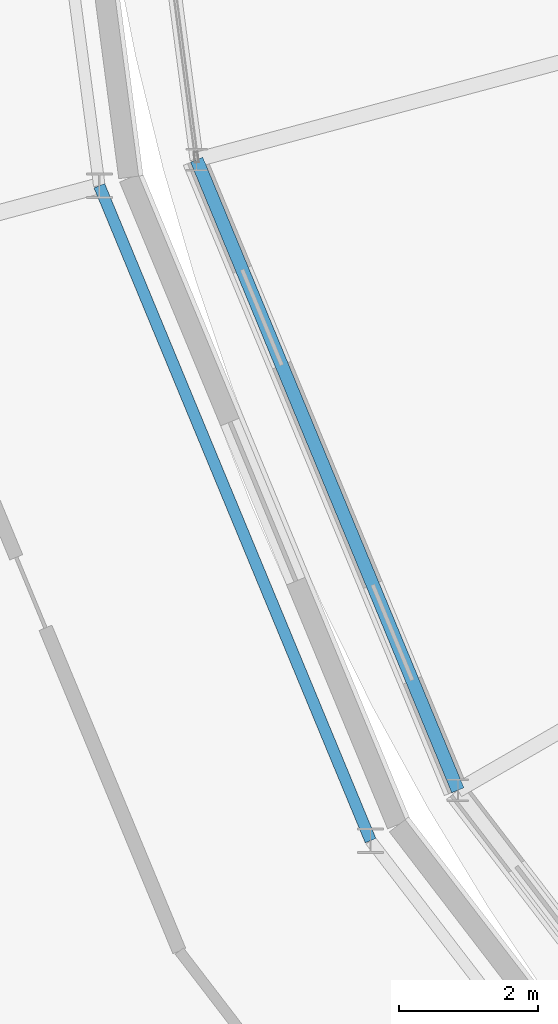
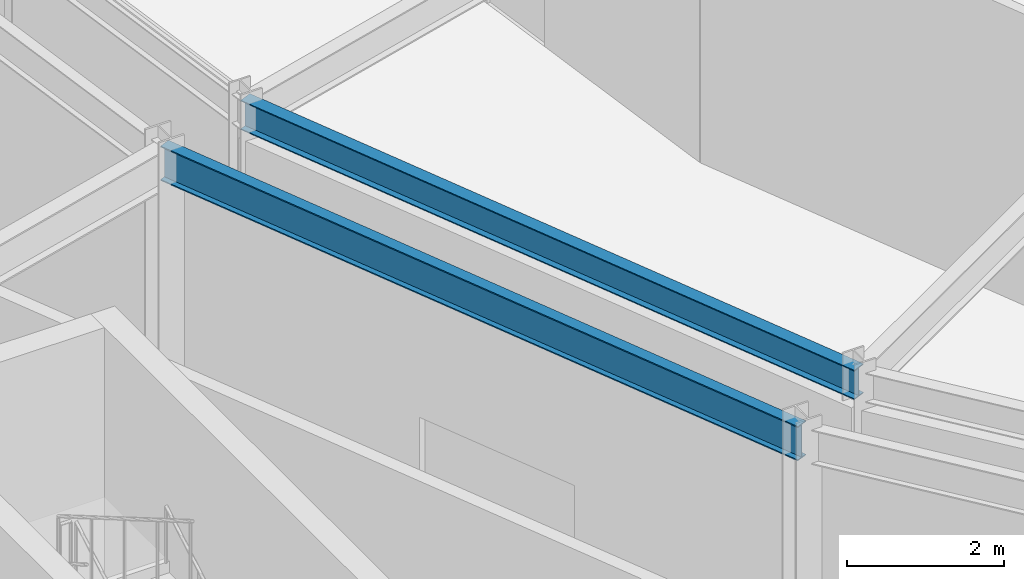
# One storey, part 33 of 168: 2 beams.
"""IFC4 building model written with IfcOpenShell, lengths in metres."""

from ifc_helpers import new_model, si_unit, direction, frame, origin, origin_2d, place, context, subcontext, project, spatial, i_section, extrude, material, material_profile, profile_set, type_object, element, save


model = new_model("IFC4")

# Units and contexts
model_context = context("Model", 3, precision=1e-05, world=origin(), true_north=direction((0.0, 1.0)))
body_context = subcontext(model_context, "Body", "Model", "MODEL_VIEW")
ifc_project = project(units=[si_unit("LENGTHUNIT", "METRE"), si_unit("AREAUNIT", "SQUARE_METRE"), si_unit("VOLUMEUNIT", "CUBIC_METRE"), si_unit("PLANEANGLEUNIT", "RADIAN"), si_unit("MASSUNIT", "GRAM", prefix="KILO")], contexts=[model_context])

# Site, building, storey
site_placement = place(None, origin())
site = spatial("IfcSite", under=ifc_project, at=site_placement, CompositionType="ELEMENT")
building_placement = place(site_placement, origin())
building = spatial("IfcBuilding", under=site, at=building_placement, Name="Almandine Court Research Institute", CompositionType="ELEMENT")
storey_placement = place(building_placement, origin())
storey = spatial("IfcBuildingStorey", under=building, at=storey_placement, Name="L00", CompositionType="ELEMENT", Elevation=0.0)

# Beams
ifc_material = material(Name="Steel ASTM A992 Grade 50", Category="steel")
ifc_material_profile_1 = material_profile(ifc_material, i_section(OverallWidth=0.18994140625, OverallDepth=0.45703125, WebThickness=0.009033203125, FlangeThickness=0.014892578125, at=origin_2d()), Name="W460x74")
ifc_profile_set_1 = profile_set([ifc_material_profile_1], Name="Steel ASTM A992 Grade 50")
beam_type_1 = type_object("IfcBeamType", Name="Beam-B-01", PredefinedType="BEAM", material=ifc_profile_set_1)
beam_1_placement = place(storey_placement, frame((50.633056640625, 46.2548828125, 4.841064453125), z_axis=(0.382683080424, -0.92387967829, 0.0), x_axis=(0.92387967829, 0.382683080424, 0.0)))
element("IfcBeam", 1, at=beam_1_placement, inside=storey, type_object=beam_type_1, Name="L00 Atrium Outer Ring Beam", PredefinedType="BEAM", context=body_context, shape_type="SweptSolid", body=[
    extrude(i_section(OverallWidth=0.18994140625, OverallDepth=0.45703125, WebThickness=0.009033203125, FlangeThickness=0.014892578125, at=origin_2d()), origin(), (0.0, 0.0, 1.0), 9.827880859375),
])
ifc_material_profile_2 = material_profile(ifc_material, i_section(OverallWidth=0.166015625, OverallDepth=0.534912109375, WebThickness=0.010009765625, FlangeThickness=0.01708984375, at=origin_2d()), Name="W530x85")
ifc_profile_set_2 = profile_set([ifc_material_profile_2], Name="Steel ASTM A992 Grade 50")
beam_type_2 = type_object("IfcBeamType", Name="Beam-G-05-E", PredefinedType="SPANDREL", material=ifc_profile_set_2)
beam_2_placement = place(storey_placement, frame((49.23193359375, 45.8798828125, 4.802978515625), z_axis=(0.382683455912, -0.923879522758, 0.0), x_axis=(0.923879522758, 0.382683455912, 0.0)))
element("IfcBeam", 2, at=beam_2_placement, inside=storey, type_object=beam_type_2, Name="L00 Drum IN Ring Beam 13", PredefinedType="SPANDREL", context=body_context, shape_type="SweptSolid", body=[
    extrude(i_section(OverallWidth=0.166015625, OverallDepth=0.534912109375, WebThickness=0.010009765625, FlangeThickness=0.01708984375, at=origin_2d()), origin(), (0.0, 0.0, 1.0), 10.206787109375),
])

save(model, "model.ifc")
